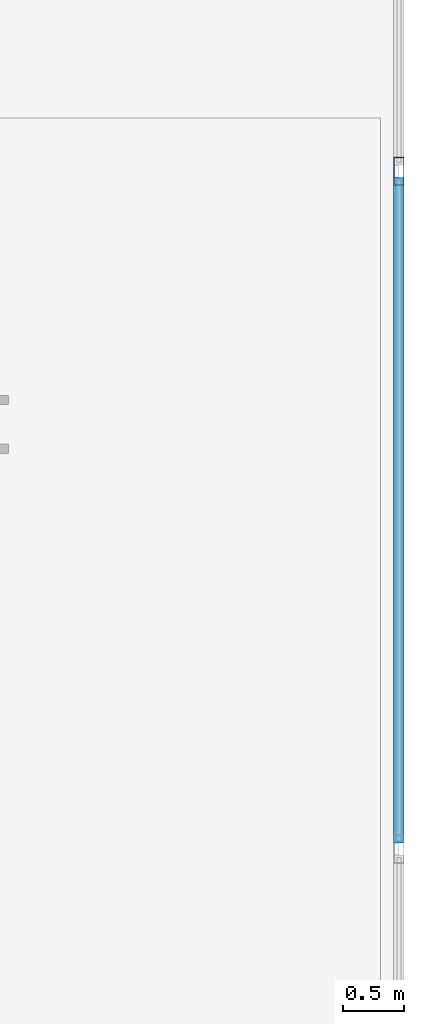
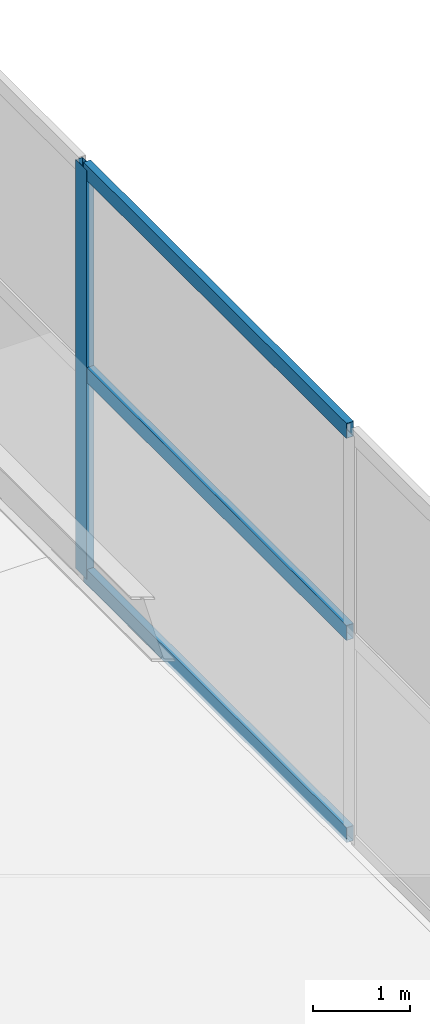
# One storey, part 12 of 24: 4 members, 1 element without a shape of its own.
"""IFC4 building model written with IfcOpenShell, lengths in metres."""

from ifc_helpers import new_model, si_unit, direction, frame, origin, origin_2d, place, context, subcontext, project, spatial, hollow_rectangle, extrude, material, material_profile, profile_set, type_object, element, aggregate, save


model = new_model("IFC4")

# Units and contexts
model_context = context("Model", 3, precision=1e-05, world=origin(), true_north=direction((0.0, 1.0)))
body_context = subcontext(model_context, "Body", "Model", "MODEL_VIEW")
ifc_project = project(units=[si_unit("LENGTHUNIT", "METRE"), si_unit("AREAUNIT", "SQUARE_METRE"), si_unit("VOLUMEUNIT", "CUBIC_METRE"), si_unit("PLANEANGLEUNIT", "RADIAN"), si_unit("MASSUNIT", "GRAM", prefix="KILO")], contexts=[model_context])

# Site, building, storey
site_placement = place(None, origin())
site = spatial("IfcSite", under=ifc_project, at=site_placement, CompositionType="ELEMENT")
building_placement = place(site_placement, origin())
building = spatial("IfcBuilding", under=site, at=building_placement, Name="Kovane Verandah Tower", CompositionType="ELEMENT")
storey_placement = place(building_placement, frame((0.0, 0.0, 348.800048828125)))
storey = spatial("IfcBuildingStorey", under=building, at=storey_placement, Name="L81", CompositionType="ELEMENT", Elevation=348.800048828125)

# Curtain wall, members
ifc_material_1 = material(Name="Champagne Anodised Aluminium Frame with Low-E Clear Laminated Glass", Category="aluminium")
curtain_wall_type = type_object("IfcCurtainWallType", Name="CW-SYS-06-CROWN", PredefinedType="NOTDEFINED", material=ifc_material_1)
curtain_wall_placement = place(storey_placement, origin())
curtain_wall = element("IfcCurtainWall", 1, at=curtain_wall_placement, inside=storey, type_object=curtain_wall_type, Name="L81 E Unitised Curtain Wall", PredefinedType="NOTDEFINED")
ifc_material_2 = material(Name="Champagne Anodised Aluminium 6063-T6", Category="aluminium")
ifc_material_profile_1 = material_profile(ifc_material_2, hollow_rectangle(XDim=0.0849609375, YDim=0.22998046875, WallThickness=0.00390625, at=origin_2d()), Name="AL85x230x4")
ifc_profile_set_1 = profile_set([ifc_material_profile_1], Name="Champagne Anodised Aluminium 6063-T6")
member_type_1 = type_object("IfcMemberType", Name="CW-MUL-85x230", PredefinedType="MULLION", material=ifc_profile_set_1)
member_1_placement = place(storey_placement, frame((61.800048828125, 38.566650390625, 0.02001953125), z_axis=(0.0, 0.0, 1.0), x_axis=(1.0, 0.0, 0.0)))
member_1 = element("IfcMember", 2, at=member_1_placement, type_object=member_type_1, Name="L81 E Unitised Curtain Wall Mullion 6", PredefinedType="MULLION", context=body_context, shape_type="SweptSolid", body=[
    extrude(hollow_rectangle(XDim=0.0849609375, YDim=0.22998046875, WallThickness=0.00390625, at=origin_2d()), origin(), (0.0, 0.0, 1.0), 5.159912109375),
])
ifc_material_profile_2 = material_profile(ifc_material_2, hollow_rectangle(XDim=0.0849609375, YDim=0.18994140625, WallThickness=0.00390625, at=origin_2d()), Name="AL85x190x4")
ifc_profile_set_2 = profile_set([ifc_material_profile_2], Name="Champagne Anodised Aluminium 6063-T6")
member_type_2 = type_object("IfcMemberType", Name="CW-TRN-85x190", PredefinedType="USERDEFINED", material=ifc_profile_set_2)
member_2_placement = place(storey_placement, frame((61.800048828125, 33.083251953125, 0.050048828125), z_axis=(0.0, 1.0, 0.0), x_axis=(-1.0, 0.0, 0.0)))
member_2 = element("IfcMember", 3, at=member_2_placement, type_object=member_type_2, Name="L81 E Unitised Curtain Wall Transom TB Bay 5", ObjectType="TRANSOM", PredefinedType="USERDEFINED", context=body_context, shape_type="SweptSolid", body=[
    extrude(hollow_rectangle(XDim=0.0849609375, YDim=0.18994140625, WallThickness=0.00390625, at=origin_2d()), origin(), (0.0, 0.0, 1.0), 5.433349609375),
])
member_3_placement = place(storey_placement, frame((61.800048828125, 33.083251953125, 2.599853515625), z_axis=(0.0, 1.0, 0.0), x_axis=(-1.0, 0.0, 0.0)))
member_3 = element("IfcMember", 4, at=member_3_placement, type_object=member_type_2, Name="L81 E Unitised Curtain Wall Transom TM Bay 5", ObjectType="TRANSOM", PredefinedType="USERDEFINED", context=body_context, shape_type="SweptSolid", body=[
    extrude(hollow_rectangle(XDim=0.0849609375, YDim=0.18994140625, WallThickness=0.00390625, at=origin_2d()), origin(), (0.0, 0.0, 1.0), 5.433349609375),
])
member_4_placement = place(storey_placement, frame((61.800048828125, 33.083251953125, 5.14990234375), z_axis=(0.0, 1.0, 0.0), x_axis=(-1.0, 0.0, 0.0)))
member_4 = element("IfcMember", 5, at=member_4_placement, type_object=member_type_2, Name="L81 E Unitised Curtain Wall Transom TT Bay 5", ObjectType="TRANSOM", PredefinedType="USERDEFINED", context=body_context, shape_type="SweptSolid", body=[
    extrude(hollow_rectangle(XDim=0.0849609375, YDim=0.18994140625, WallThickness=0.00390625, at=origin_2d()), origin(), (0.0, 0.0, 1.0), 5.433349609375),
])
aggregate(curtain_wall, [member_1, member_2, member_3, member_4])

save(model, "model.ifc")
